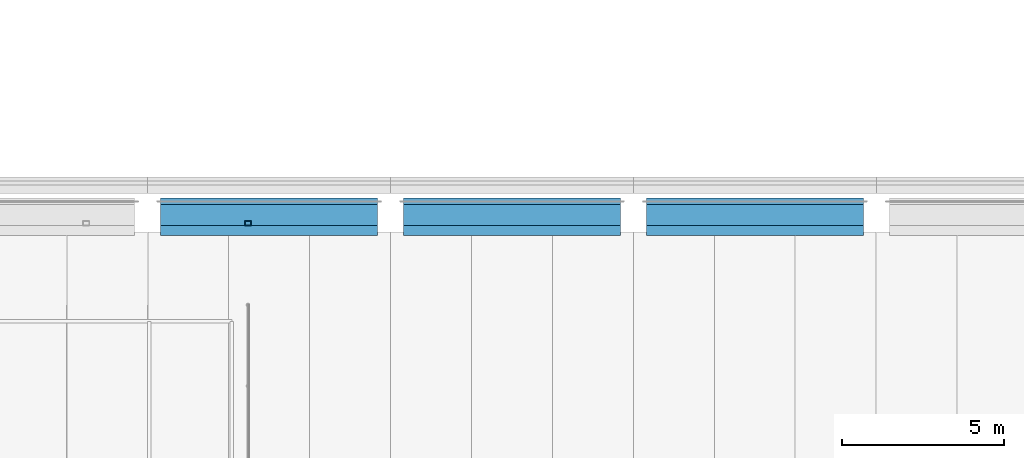
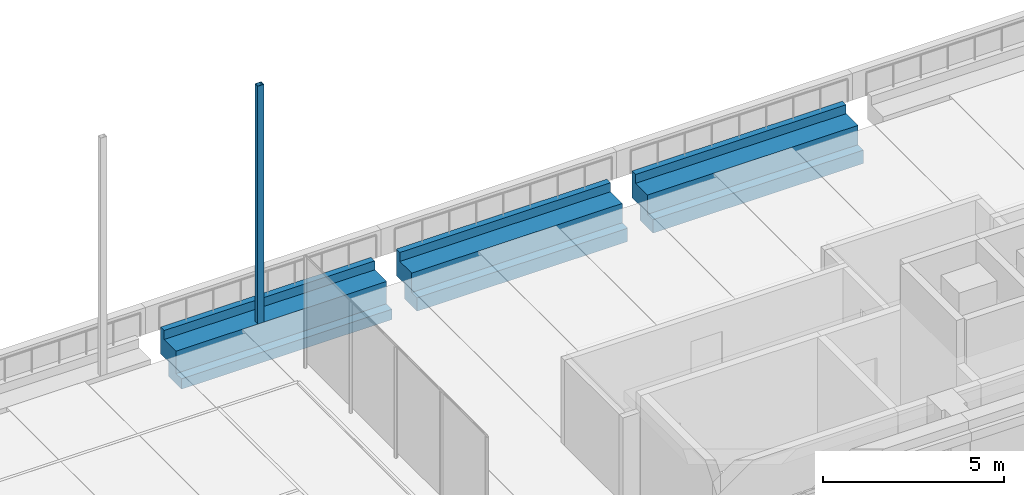
# One storey, part 12 of 62: 3 beams, 1 member.
"""IFC4 building model written with IfcOpenShell, lengths in metres."""

from ifc_helpers import new_model, si_unit, direction, frame, origin, origin_2d, place, context, subcontext, project, spatial, polyline, hollow_rectangle, outline, extrude, material, material_profile, profile_set, type_object, element, save


model = new_model("IFC4")

# Units and contexts
model_context = context("Model", 3, precision=1e-05, world=origin(), true_north=direction((0.0, 1.0)))
body_context = subcontext(model_context, "Body", "Model", "MODEL_VIEW")
ifc_project = project(units=[si_unit("LENGTHUNIT", "METRE"), si_unit("AREAUNIT", "SQUARE_METRE"), si_unit("VOLUMEUNIT", "CUBIC_METRE"), si_unit("PLANEANGLEUNIT", "RADIAN"), si_unit("MASSUNIT", "GRAM", prefix="KILO")], contexts=[model_context])

# Site, building, storey
site_placement = place(None, origin())
site = spatial("IfcSite", under=ifc_project, at=site_placement, CompositionType="ELEMENT")
building_placement = place(site_placement, origin())
building = spatial("IfcBuilding", under=site, at=building_placement, Name="Cour d'Honneur Mobility Palace", CompositionType="ELEMENT")
storey_placement = place(building_placement, frame((0.0, 0.0, 19.300048828125)))
storey = spatial("IfcBuildingStorey", under=building, at=storey_placement, Name="L05", CompositionType="ELEMENT", Elevation=19.300048828125)

# Beams
ifc_material_1 = material(Name="Concrete C45", Category="concrete")
ifc_material_profile_1 = material_profile(ifc_material_1, outline(polyline([(0.199951171875, -1.10009765625), (0.199951171875, -0.60009765625), (0.64990234375, -0.60009765625), (0.64990234375, 0.300048828125), (0.449951171875, 0.300048828125), (0.449951171875, 0.0), (0.199951171875, 0.0), (-0.199951171875, 0.0), (-0.199951171875, -0.75), (-0.5, -0.75), (-0.5, -1.10009765625), (0.199951171875, -1.10009765625)])), Name="Ledger Beam 400x1100 ledge right 350 facade left")
ifc_profile_set_1 = profile_set([ifc_material_profile_1], Name="Concrete C45")
beam_type_1 = type_object("IfcBeamType", Name="Ledger Beam 400x1100 ledge right 350 facade left", PredefinedType="BEAM", material=ifc_profile_set_1)
beam_placement = place(storey_placement, frame((62.800048828125, 62.39990234375, 0.0), z_axis=(1.0, 0.0, 0.0), x_axis=(0.0, 1.0, 0.0)))
element("IfcBeam", 1, at=beam_placement, inside=storey, type_object=beam_type_1, Name="Precast beam B4 8-9 L05", PredefinedType="BEAM", context=body_context, shape_type="SweptSolid", body=[
    extrude(outline(polyline([(0.199951171875, -1.10009765625), (0.199951171875, -0.60009765625), (0.64990234375, -0.60009765625), (0.64990234375, 0.300048828125), (0.449951171875, 0.300048828125), (0.449951171875, 0.0), (0.199951171875, 0.0), (-0.199951171875, 0.0), (-0.199951171875, -0.75), (-0.5, -0.75), (-0.5, -1.10009765625), (0.199951171875, -1.10009765625)])), origin(), (0.0, 0.0, 1.0), 6.699951171875),
])
ifc_material_2 = material(Name="Concrete C45", Category="concrete")
ifc_material_profile_2 = material_profile(ifc_material_2, outline(polyline([(0.199951171875, -1.10009765625), (0.199951171875, -0.60009765625), (0.64990234375, -0.60009765625), (0.64990234375, 0.300048828125), (0.449951171875, 0.300048828125), (0.449951171875, 0.0), (0.199951171875, 0.0), (-0.199951171875, 0.0), (-0.199951171875, -0.64990234375), (-0.5, -0.64990234375), (-0.5, -1.10009765625), (0.199951171875, -1.10009765625)])), Name="Ledger Beam 400x1100 ledge right 450 facade left")
ifc_profile_set_2 = profile_set([ifc_material_profile_2], Name="Concrete C45")
beam_type_2 = type_object("IfcBeamType", Name="Ledger Beam 400x1100 ledge right 450 facade left", PredefinedType="BEAM", material=ifc_profile_set_2)
for number, where, z_axis, x_axis, name in (
    (2, (70.300048828125, 62.39990234375, 0.0), (1.0, 0.0, 0.0), (0.0, 1.0, 0.0), "Precast beam B5 9-10 L05"),
    (3, (77.800048828125, 62.39990234375, 0.0), (1.0, 0.0, 0.0), (0.0, 1.0, 0.0), "Precast beam B5 10-11 L05"),
):
    element("IfcBeam", number, at=place(storey_placement, frame(where, z_axis=z_axis, x_axis=x_axis)), inside=storey, type_object=beam_type_2, Name=name, PredefinedType="BEAM", context=body_context, shape_type="SweptSolid", body=[
        extrude(outline(polyline([(0.199951171875, -1.10009765625), (0.199951171875, -0.60009765625), (0.64990234375, -0.60009765625), (0.64990234375, 0.300048828125), (0.449951171875, 0.300048828125), (0.449951171875, 0.0), (0.199951171875, 0.0), (-0.199951171875, 0.0), (-0.199951171875, -0.64990234375), (-0.5, -0.64990234375), (-0.5, -1.10009765625), (0.199951171875, -1.10009765625)])), origin(), (0.0, 0.0, 1.0), 6.699951171875),
    ])

# Member
ifc_material_3 = material(Name="Steel S355", Category="steel")
ifc_material_profile_3 = material_profile(ifc_material_3, hollow_rectangle(XDim=0.14990234375, YDim=0.199951171875, WallThickness=0.008056640625, at=origin_2d()), Name="RHS 200x150x8")
ifc_profile_set_3 = profile_set([ifc_material_profile_3], Name="Steel S355")
member_type = type_object("IfcMemberType", Name="Pergola post RHS 200x150x8", PredefinedType="POST", material=ifc_profile_set_3)
member_placement = place(storey_placement, frame((65.5, 62.27490234375, 0.0), z_axis=(0.0, 0.0, 1.0), x_axis=(0.0, 1.0, 0.0)))
element("IfcMember", 4, at=member_placement, inside=storey, type_object=member_type, Name="Pergola post PW-N5", PredefinedType="POST", context=body_context, shape_type="SweptSolid", body=[
    extrude(hollow_rectangle(XDim=0.14990234375, YDim=0.199951171875, WallThickness=0.008056640625, at=origin_2d()), origin(), (0.0, 0.0, 1.0), 8.0),
])

save(model, "model.ifc")
